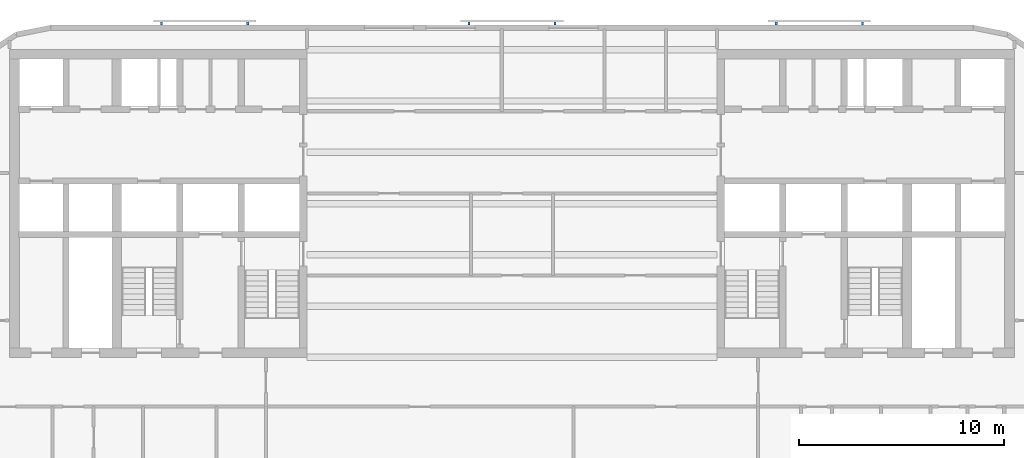
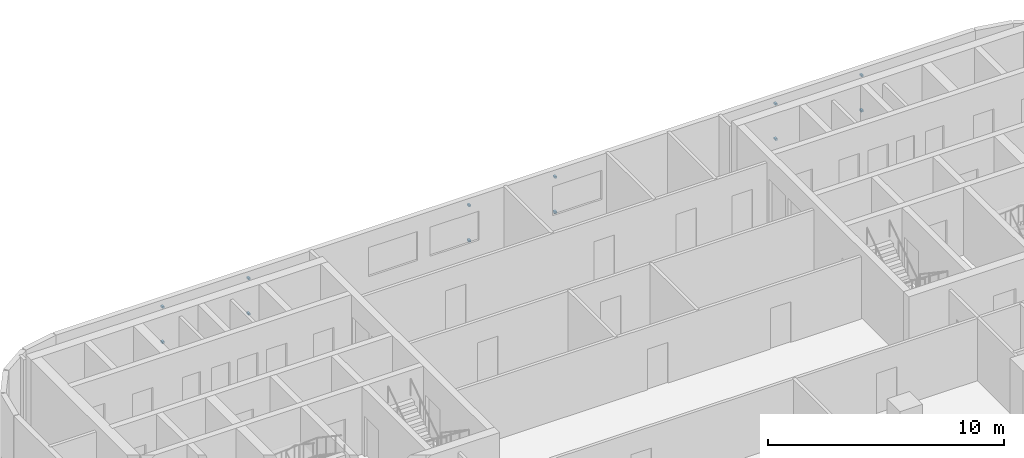
# One storey, part 8 of 11: 12 discrete accessories.
"""IFC4 building model written with IfcOpenShell, lengths in metres."""

import ifcopenshell
import ifcopenshell.guid

model = None  # the IFC model being written
_history = None  # IfcOwnerHistory: only IFC2X3 demands one
_inside = {}  # id of a spatial element -> (the spatial element, [elements in it])
_under = {}  # id of a project, library or spatial element -> (it, [spatial elements below it])
_declared = {}  # id of a project -> (the project, [libraries it declares])
_typed = {}  # id of a type object -> (the type object, [elements of that type])
_made_of = {}  # id of a material, layer set ... -> (it, [elements and type objects made of it])


def new_model(schema):
    """Start an empty IFC model of exactly this schema.

    Asked for "IFC4X3", IfcOpenShell would pick the latest addendum, in which some entities
    have other attributes; the version numbers below select the first issue.
    IFC2X3 requires an IfcOwnerHistory on every rooted entity: one is made here for all.
    """
    global model, _history
    if schema == "IFC4X3":
        model = ifcopenshell.file(schema_version=(4, 3, 0, 0))
    else:
        model = ifcopenshell.file(schema=schema)
    _inside.clear()
    _under.clear()
    _declared.clear()
    _typed.clear()
    _made_of.clear()
    _history = None
    if model.schema == "IFC2X3":
        org = make("IfcOrganization", Name="unknown")
        user = make(
            "IfcPersonAndOrganization",
            ThePerson=make("IfcPerson", FamilyName="unknown"),
            TheOrganization=org,
        )
        app = make(
            "IfcApplication",
            ApplicationDeveloper=org,
            Version="unknown",
            ApplicationFullName="unknown",
            ApplicationIdentifier="unknown",
        )
        _history = make(
            "IfcOwnerHistory",
            OwningUser=user,
            OwningApplication=app,
            ChangeAction="ADDED",
            CreationDate=0,
        )
    return model


def make(cls, **values):
    """One entity of the class cls with the attributes given. An attribute that is None is left unset."""
    return model.create_entity(
        cls, **{name: value for name, value in values.items() if value is not None}
    )


def rooted(cls, **values):
    """An entity with a GlobalId (a new one), such as an element, a storey or a relation."""
    return make(cls, GlobalId=ifcopenshell.guid.new(), OwnerHistory=_history, **values)


def si_unit(unit_type, name, prefix=None):
    """IfcSIUnit, for example si_unit("LENGTHUNIT", "METRE", prefix="MILLI")."""
    return make("IfcSIUnit", UnitType=unit_type, Prefix=prefix, Name=name)


def assignment(units):
    """IfcUnitAssignment: the units of a project."""
    return None if units is None else make("IfcUnitAssignment", Units=units)


def point(xyz):
    """IfcCartesianPoint."""
    return None if xyz is None else make("IfcCartesianPoint", Coordinates=xyz)


def direction(xyz):
    """IfcDirection."""
    return None if xyz is None else make("IfcDirection", DirectionRatios=xyz)


def frame(location, z_axis=None, x_axis=None):
    """IfcAxis2Placement3D, a coordinate frame: its origin and axes. An axis left out is left unset."""
    return make(
        "IfcAxis2Placement3D",
        Location=point(location),
        Axis=direction(z_axis),
        RefDirection=direction(x_axis),
    )


def frame_2d(location, x_axis=None):
    """IfcAxis2Placement2D, a coordinate frame in the plane: its origin and x axis."""
    return make(
        "IfcAxis2Placement2D", Location=point(location), RefDirection=direction(x_axis)
    )


def origin():
    """The frame at (0, 0, 0) with its axes left unset."""
    return frame((0.0, 0.0, 0.0))


def origin_2d():
    """The frame at (0, 0) in the plane with its x axis left unset."""
    return frame_2d((0.0, 0.0))


def place(relative_to, where):
    """IfcLocalPlacement: puts the frame where relative to a parent placement (None: the world)."""
    return make(
        "IfcLocalPlacement", PlacementRelTo=relative_to, RelativePlacement=where
    )


def context(
    kind, dimensions, precision=None, world=None, true_north=None, identifier=None
):
    """IfcGeometricRepresentationContext, for example the 3D "Model" context."""
    return make(
        "IfcGeometricRepresentationContext",
        ContextIdentifier=identifier,
        ContextType=kind,
        CoordinateSpaceDimension=dimensions,
        Precision=precision,
        WorldCoordinateSystem=world,
        TrueNorth=true_north,
    )


def subcontext(parent, identifier, kind, view, scale=None):
    """IfcGeometricRepresentationSubContext, for example "Body" below "Model"."""
    return make(
        "IfcGeometricRepresentationSubContext",
        ContextIdentifier=identifier,
        ContextType=kind,
        ParentContext=parent,
        TargetScale=scale,
        TargetView=view,
    )


def project(units=None, contexts=None):
    """IfcProject with its units and contexts."""
    return rooted(
        "IfcProject",
        Name="project",
        RepresentationContexts=contexts,
        UnitsInContext=assignment(units),
    )


def spatial(cls, under=None, at=None, **own):
    """A site, building, storey or space (cls), placed at a placement, below another one or the project."""
    s = rooted(cls, ObjectPlacement=at, **own)
    if under is not None:
        _under.setdefault(under.id(), (under, []))[1].append(s)
    return s


def profile(cls, at=None, kind="AREA", **sizes):
    """A parametric profile (cls). Its sizes go by their IFC names, for example OverallWidth=200.0."""
    return make(cls, ProfileType=kind, Position=at, **sizes)


def rectangle(**sizes):
    """IfcRectangleProfileDef."""
    return profile("IfcRectangleProfileDef", **sizes)


def extrude(swept, where, along, depth):
    """IfcExtrudedAreaSolid: the profile swept, set in the frame where, extruded along a direction by depth."""
    return make(
        "IfcExtrudedAreaSolid",
        SweptArea=swept,
        Position=where,
        ExtrudedDirection=direction(along),
        Depth=depth,
    )


def shape(context_of_items, identifier, shape_type, items):
    """IfcShapeRepresentation: the items that make up one representation, for example the "Body"."""
    return make(
        "IfcShapeRepresentation",
        ContextOfItems=context_of_items,
        RepresentationIdentifier=identifier,
        RepresentationType=shape_type,
        Items=items,
    )


def material(Name=None, Category=None):
    """IfcMaterial."""
    return make("IfcMaterial", Name=Name, Category=Category)


def made_of(thing, what):
    """Note that an element or type object is made of a material, layer set ...; save() writes the relation."""
    if what is not None:
        _made_of.setdefault(what.id(), (what, []))[1].append(thing)
    return thing


def type_object(cls, material=None, **own):
    """A type object (cls), such as IfcWallType, which elements share."""
    return made_of(rooted(cls, **own), material)


def element(
    cls,
    number,
    at=None,
    inside=None,
    cuts=None,
    type_object=None,
    material=None,
    context=None,
    identifier="Body",
    shape_type=None,
    held_by="IfcProductDefinitionShape",
    body=None,
    shapes=None,
    **own,
):
    """One element of the class cls, such as IfcWall. Its Tag is "e" and its number.

    at: its placement. inside: the storey or other place that contains it. cuts: it is an
    opening in that element (IfcRelVoidsElement). A single representation is given by context,
    identifier, shape_type and body (its items); several are given by shapes. held_by: the class
    of the entity that holds the representations. save() writes the other relations.
    """
    e = rooted(cls, Tag="e%d" % number, ObjectPlacement=at, **own)
    if body is not None:
        shapes = [shape(context, identifier, shape_type, body)]
    if shapes is not None:
        e.Representation = make(held_by, Representations=shapes)
    if inside is not None:
        _inside.setdefault(inside.id(), (inside, []))[1].append(e)
    if cuts is not None:
        rooted(
            "IfcRelVoidsElement", RelatingBuildingElement=cuts, RelatedOpeningElement=e
        )
    if type_object is not None:
        _typed.setdefault(type_object.id(), (type_object, []))[1].append(e)
    return made_of(e, material)


def aggregate(whole, parts):
    """IfcRelAggregates: a whole, such as a stair, and the parts it consists of."""
    return rooted("IfcRelAggregates", RelatingObject=whole, RelatedObjects=parts)


def save(model, path):
    """Write the relations noted so far, then the file.

    IfcRelAggregates (storeys below a building ...), IfcRelContainedInSpatialStructure (elements
    in a storey), IfcRelDefinesByType, IfcRelAssociatesMaterial and IfcRelDeclares: one each for
    every whole, place, type object, material and project.
    """
    for whole, parts in _under.values():
        aggregate(whole, parts)
    for where, things in _inside.values():
        rooted(
            "IfcRelContainedInSpatialStructure",
            RelatedElements=things,
            RelatingStructure=where,
        )
    for kind, things in _typed.values():
        rooted("IfcRelDefinesByType", RelatedObjects=things, RelatingType=kind)
    for what, things in _made_of.values():
        rooted("IfcRelAssociatesMaterial", RelatedObjects=things, RelatingMaterial=what)
    for by, libraries in _declared.values():
        rooted("IfcRelDeclares", RelatingContext=by, RelatedDefinitions=libraries)
    model.write(path)


model = new_model("IFC4")

# Units and contexts
model_context = context("Model", 3, precision=1e-05, world=origin(), true_north=direction((0.0, 1.0)))
body_context = subcontext(model_context, "Body", "Model", "MODEL_VIEW")
ifc_project = project(units=[si_unit("LENGTHUNIT", "METRE"), si_unit("AREAUNIT", "SQUARE_METRE"), si_unit("VOLUMEUNIT", "CUBIC_METRE"), si_unit("PLANEANGLEUNIT", "RADIAN"), si_unit("MASSUNIT", "GRAM", prefix="KILO")], contexts=[model_context])

# Site, building, storey
site_placement = place(None, origin())
site = spatial("IfcSite", under=ifc_project, at=site_placement, CompositionType="ELEMENT")
building_placement = place(site_placement, origin())
building = spatial("IfcBuilding", under=site, at=building_placement, Name="Torana Hotel and Residences", CompositionType="ELEMENT")
storey_placement = place(building_placement, frame((0.0, 0.0, 208.10009765625)))
storey = spatial("IfcBuildingStorey", under=building, at=storey_placement, Name="L54", CompositionType="ELEMENT", Elevation=208.10009765625)

# Discrete accessories
ifc_material = material(Name="Steel S355", Category="steel")
discrete_accessory_type = type_object("IfcDiscreteAccessoryType", Name="SCREEN BRACKET 100", PredefinedType="BRACKET", material=ifc_material)
for number, where, z_axis, x_axis, name in (
    (1, (17.08349609375, 1.27490234375, 0.749755859375), (0.0, 0.0, 1.0), (-1.0, 0.0, 0.0), "Screen bracket L54"),
    (2, (17.08349609375, 1.27490234375, 2.56982421875), (0.0, 0.0, 1.0), (-1.0, 0.0, 0.0), "Screen bracket L54"),
    (3, (12.883544921875, 1.27490234375, 0.749755859375), (0.0, 0.0, 1.0), (-1.0, 0.0, 0.0), "Screen bracket L54"),
    (4, (12.883544921875, 1.27490234375, 2.56982421875), (0.0, 0.0, 1.0), (-1.0, 0.0, 0.0), "Screen bracket L54"),
    (5, (2.10009765625, 1.27490234375, 0.749755859375), (0.0, 0.0, 1.0), (-1.0, 0.0, 0.0), "Screen bracket L54"),
    (6, (2.10009765625, 1.27490234375, 2.56982421875), (0.0, 0.0, 1.0), (-1.0, 0.0, 0.0), "Screen bracket L54"),
    (7, (-2.10009765625, 1.27490234375, 0.749755859375), (0.0, 0.0, 1.0), (-1.0, 0.0, 0.0), "Screen bracket L54"),
    (8, (-2.10009765625, 1.27490234375, 2.56982421875), (0.0, 0.0, 1.0), (-1.0, 0.0, 0.0), "Screen bracket L54"),
    (9, (-12.883544921875, 1.27490234375, 0.749755859375), (0.0, 0.0, 1.0), (-1.0, 0.0, 0.0), "Screen bracket L54"),
    (10, (-12.883544921875, 1.27490234375, 2.56982421875), (0.0, 0.0, 1.0), (-1.0, 0.0, 0.0), "Screen bracket L54"),
    (11, (-17.08349609375, 1.27490234375, 0.749755859375), (0.0, 0.0, 1.0), (-1.0, 0.0, 0.0), "Screen bracket L54"),
    (12, (-17.08349609375, 1.27490234375, 2.56982421875), (0.0, 0.0, 1.0), (-1.0, 0.0, 0.0), "Screen bracket L54"),
):
    element("IfcDiscreteAccessory", number, at=place(storey_placement, frame(where, z_axis=z_axis, x_axis=x_axis)), inside=storey, type_object=discrete_accessory_type, Name=name, PredefinedType="BRACKET", context=body_context, shape_type="SweptSolid", body=[
        extrude(rectangle(XDim=0.10009765625, YDim=0.14990234375, at=origin_2d()), origin(), (0.0, 0.0, 1.0), 0.10009765625),
    ])

save(model, "model.ifc")
